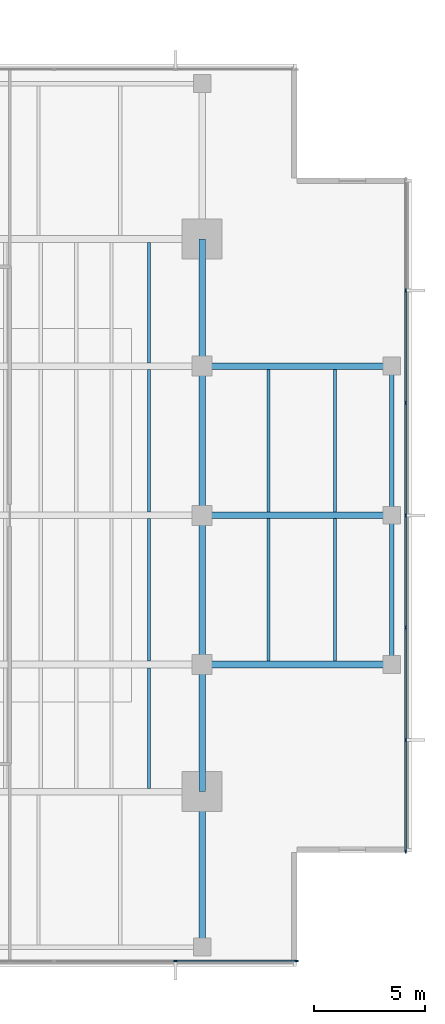
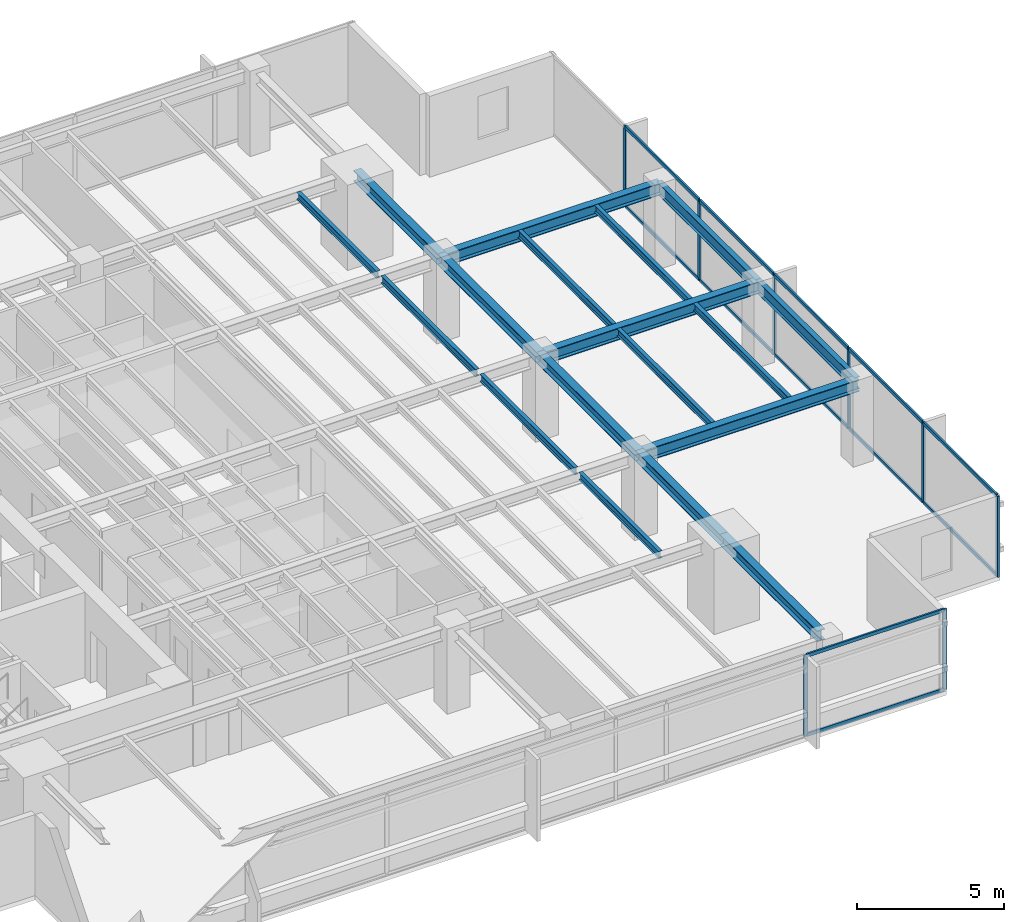
# One storey, part 4 of 14: 20 members, 18 beams, 2 elements without a shape of their own.
"""IFC4 building model written with IfcOpenShell, lengths in metres."""

from ifc_helpers import new_model, si_unit, direction, frame, origin, origin_2d, place, context, subcontext, project, spatial, rectangle, i_section, extrude, material, layer, layer_set, material_profile, profile_set, type_object, element, aggregate, save


model = new_model("IFC4")

# Units and contexts
model_context = context("Model", 3, precision=1e-05, world=origin(), true_north=direction((0.0, 1.0)))
body_context = subcontext(model_context, "Body", "Model", "MODEL_VIEW")
ifc_project = project(units=[si_unit("LENGTHUNIT", "METRE"), si_unit("AREAUNIT", "SQUARE_METRE"), si_unit("VOLUMEUNIT", "CUBIC_METRE"), si_unit("PLANEANGLEUNIT", "RADIAN"), si_unit("MASSUNIT", "GRAM", prefix="KILO")], contexts=[model_context])

# Site, building, storey
site_placement = place(None, origin())
site = spatial("IfcSite", under=ifc_project, at=site_placement, CompositionType="ELEMENT")
building_placement = place(site_placement, origin())
building = spatial("IfcBuilding", under=site, at=building_placement, Name="Kinhvarn Gate Tower", CompositionType="ELEMENT")
storey_placement = place(building_placement, frame((0.0, 0.0, 191.60009765625)))
storey = spatial("IfcBuildingStorey", under=building, at=storey_placement, Name="L50", CompositionType="ELEMENT", Elevation=191.60009765625)

# Curtain wall, members
ifc_material_1 = material(Name="Anodised aluminium AW-6063", Category="aluminium")
ifc_layer = layer(ifc_material_1, 0.179931640625)
ifc_layer_set = layer_set([ifc_layer], Name="Anodised aluminium AW-6063")
curtain_wall_type = type_object("IfcCurtainWallType", Name="CW-SYS-3", PredefinedType="NOTDEFINED", material=ifc_layer_set)
curtain_wall_1_placement = place(storey_placement, origin())
curtain_wall_1 = element("IfcCurtainWall", 1, at=curtain_wall_1_placement, inside=storey, type_object=curtain_wall_type, Name="Curtain Wall CW3 (L50)", PredefinedType="NOTDEFINED")
ifc_material_profile_1 = material_profile(ifc_material_1, rectangle(XDim=0.06494140625, YDim=0.159912109375, at=origin_2d()), Name="ALU 65x160")
ifc_profile_set_1 = profile_set([ifc_material_profile_1], Name="Anodised aluminium AW-6063")
member_type_1 = type_object("IfcMemberType", Name="CW-MUL-160", PredefinedType="MULLION", material=ifc_profile_set_1)
member_1_placement = place(storey_placement, frame((37.0, 5.090087890625, 0.0), z_axis=(0.0, 0.0, 1.0), x_axis=(0.0, 1.0, 0.0)))
member_1 = element("IfcMember", 2, at=member_1_placement, type_object=member_type_1, Name="CW3 mullion 6", PredefinedType="MULLION", context=body_context, shape_type="SweptSolid", body=[
    extrude(rectangle(XDim=0.06494140625, YDim=0.159912109375, at=origin_2d()), origin(), (0.0, 0.0, 1.0), 3.369873046875),
])
member_2_placement = place(storey_placement, frame((42.467529296875, 5.090087890625, 0.0), z_axis=(0.0, 0.0, 1.0), x_axis=(0.0, 1.0, 0.0)))
member_2 = element("IfcMember", 3, at=member_2_placement, type_object=member_type_1, Name="CW3 mullion 7", PredefinedType="MULLION", context=body_context, shape_type="SweptSolid", body=[
    extrude(rectangle(XDim=0.06494140625, YDim=0.159912109375, at=origin_2d()), origin(), (0.0, 0.0, 1.0), 3.369873046875),
])

curtain_wall_2_placement = place(storey_placement, origin())
curtain_wall_2 = element("IfcCurtainWall", 4, at=curtain_wall_2_placement, inside=storey, type_object=curtain_wall_type, Name="Curtain Wall CW3 (L50)", PredefinedType="NOTDEFINED")
member_3_placement = place(storey_placement, frame((47.409912109375, 10.032470703125, 0.0), z_axis=(0.0, 0.0, 1.0), x_axis=(-1.0, 0.0, 0.0)))
member_3 = element("IfcMember", 5, at=member_3_placement, type_object=member_type_1, Name="CW3 mullion 1", PredefinedType="MULLION", context=body_context, shape_type="SweptSolid", body=[
    extrude(rectangle(XDim=0.06494140625, YDim=0.159912109375, at=origin_2d()), origin(), (0.0, 0.0, 1.0), 3.369873046875),
])
member_4_placement = place(storey_placement, frame((47.409912109375, 15.083251953125, 0.0), z_axis=(0.0, 0.0, 1.0), x_axis=(-1.0, 0.0, 0.0)))
member_4 = element("IfcMember", 6, at=member_4_placement, type_object=member_type_1, Name="CW3 mullion 2", PredefinedType="MULLION", context=body_context, shape_type="SweptSolid", body=[
    extrude(rectangle(XDim=0.06494140625, YDim=0.159912109375, at=origin_2d()), origin(), (0.0, 0.0, 1.0), 3.369873046875),
])
member_5_placement = place(storey_placement, frame((47.409912109375, 20.166748046875, 0.0), z_axis=(0.0, 0.0, 1.0), x_axis=(-1.0, 0.0, 0.0)))
member_5 = element("IfcMember", 7, at=member_5_placement, type_object=member_type_1, Name="CW3 mullion 3", PredefinedType="MULLION", context=body_context, shape_type="SweptSolid", body=[
    extrude(rectangle(XDim=0.06494140625, YDim=0.159912109375, at=origin_2d()), origin(), (0.0, 0.0, 1.0), 3.369873046875),
])
member_6_placement = place(storey_placement, frame((47.409912109375, 25.25, 0.0), z_axis=(0.0, 0.0, 1.0), x_axis=(-1.0, 0.0, 0.0)))
member_6 = element("IfcMember", 8, at=member_6_placement, type_object=member_type_1, Name="CW3 mullion 4", PredefinedType="MULLION", context=body_context, shape_type="SweptSolid", body=[
    extrude(rectangle(XDim=0.06494140625, YDim=0.159912109375, at=origin_2d()), origin(), (0.0, 0.0, 1.0), 3.369873046875),
])
member_7_placement = place(storey_placement, frame((47.409912109375, 30.333251953125, 0.0), z_axis=(0.0, 0.0, 1.0), x_axis=(-1.0, 0.0, 0.0)))
member_7 = element("IfcMember", 9, at=member_7_placement, type_object=member_type_1, Name="CW3 mullion 5", PredefinedType="MULLION", context=body_context, shape_type="SweptSolid", body=[
    extrude(rectangle(XDim=0.06494140625, YDim=0.159912109375, at=origin_2d()), origin(), (0.0, 0.0, 1.0), 3.369873046875),
])
member_8_placement = place(storey_placement, frame((47.409912109375, 35.416748046875, 0.0), z_axis=(0.0, 0.0, 1.0), x_axis=(-1.0, 0.0, 0.0)))
member_8 = element("IfcMember", 10, at=member_8_placement, type_object=member_type_1, Name="CW3 mullion 6", PredefinedType="MULLION", context=body_context, shape_type="SweptSolid", body=[
    extrude(rectangle(XDim=0.06494140625, YDim=0.159912109375, at=origin_2d()), origin(), (0.0, 0.0, 1.0), 3.369873046875),
])

# Member
ifc_material_profile_2 = material_profile(ifc_material_1, rectangle(XDim=0.070068359375, YDim=0.139892578125, at=origin_2d()), Name="ALU 70x140")
ifc_profile_set_2 = profile_set([ifc_material_profile_2], Name="Anodised aluminium AW-6063")
member_type_2 = type_object("IfcMemberType", Name="CW-TRN-140", PredefinedType="USERDEFINED", material=ifc_profile_set_2)
member_9_placement = place(storey_placement, frame((37.032470703125, 5.090087890625, 0.034912109375), z_axis=(1.0, 0.0, 0.0), x_axis=(0.0, 1.0, 0.0)))
member_9 = element("IfcMember", 11, at=member_9_placement, type_object=member_type_2, Name="CW3 transom 6.1", ObjectType="TRANSOM", PredefinedType="USERDEFINED", context=body_context, shape_type="SweptSolid", body=[
    extrude(rectangle(XDim=0.070068359375, YDim=0.139892578125, at=origin_2d()), origin(), (0.0, 0.0, 1.0), 5.402587890625),
])

member_10_placement = place(storey_placement, frame((37.032470703125, 5.090087890625, 3.3349609375), z_axis=(1.0, 0.0, 0.0), x_axis=(0.0, 1.0, 0.0)))
member_10 = element("IfcMember", 12, at=member_10_placement, type_object=member_type_2, Name="CW3 transom 6.2", ObjectType="TRANSOM", PredefinedType="USERDEFINED", context=body_context, shape_type="SweptSolid", body=[
    extrude(rectangle(XDim=0.070068359375, YDim=0.139892578125, at=origin_2d()), origin(), (0.0, 0.0, 1.0), 5.402587890625),
])

aggregate(curtain_wall_1, [member_1, member_2, member_9, member_10])

member_11_placement = place(storey_placement, frame((47.409912109375, 10.06494140625, 0.034912109375), z_axis=(0.0, 1.0, 0.0), x_axis=(-1.0, 0.0, 0.0)))
member_11 = element("IfcMember", 13, at=member_11_placement, type_object=member_type_2, Name="CW3 transom 1.1", ObjectType="TRANSOM", PredefinedType="USERDEFINED", context=body_context, shape_type="SweptSolid", body=[
    extrude(rectangle(XDim=0.070068359375, YDim=0.139892578125, at=origin_2d()), origin(), (0.0, 0.0, 1.0), 4.98583984375),
])

member_12_placement = place(storey_placement, frame((47.409912109375, 10.06494140625, 3.3349609375), z_axis=(0.0, 1.0, 0.0), x_axis=(-1.0, 0.0, 0.0)))
member_12 = element("IfcMember", 14, at=member_12_placement, type_object=member_type_2, Name="CW3 transom 1.2", ObjectType="TRANSOM", PredefinedType="USERDEFINED", context=body_context, shape_type="SweptSolid", body=[
    extrude(rectangle(XDim=0.070068359375, YDim=0.139892578125, at=origin_2d()), origin(), (0.0, 0.0, 1.0), 4.98583984375),
])

member_13_placement = place(storey_placement, frame((47.409912109375, 15.11572265625, 0.034912109375), z_axis=(0.0, 1.0, 0.0), x_axis=(-1.0, 0.0, 0.0)))
member_13 = element("IfcMember", 15, at=member_13_placement, type_object=member_type_2, Name="CW3 transom 2.1", ObjectType="TRANSOM", PredefinedType="USERDEFINED", context=body_context, shape_type="SweptSolid", body=[
    extrude(rectangle(XDim=0.070068359375, YDim=0.139892578125, at=origin_2d()), origin(), (0.0, 0.0, 1.0), 5.0185546875),
])

member_14_placement = place(storey_placement, frame((47.409912109375, 15.11572265625, 3.3349609375), z_axis=(0.0, 1.0, 0.0), x_axis=(-1.0, 0.0, 0.0)))
member_14 = element("IfcMember", 16, at=member_14_placement, type_object=member_type_2, Name="CW3 transom 2.2", ObjectType="TRANSOM", PredefinedType="USERDEFINED", context=body_context, shape_type="SweptSolid", body=[
    extrude(rectangle(XDim=0.070068359375, YDim=0.139892578125, at=origin_2d()), origin(), (0.0, 0.0, 1.0), 5.0185546875),
])

member_15_placement = place(storey_placement, frame((47.409912109375, 20.19921875, 0.034912109375), z_axis=(0.0, 1.0, 0.0), x_axis=(-1.0, 0.0, 0.0)))
member_15 = element("IfcMember", 17, at=member_15_placement, type_object=member_type_2, Name="CW3 transom 3.1", ObjectType="TRANSOM", PredefinedType="USERDEFINED", context=body_context, shape_type="SweptSolid", body=[
    extrude(rectangle(XDim=0.070068359375, YDim=0.139892578125, at=origin_2d()), origin(), (0.0, 0.0, 1.0), 5.018310546875),
])

member_16_placement = place(storey_placement, frame((47.409912109375, 20.19921875, 3.3349609375), z_axis=(0.0, 1.0, 0.0), x_axis=(-1.0, 0.0, 0.0)))
member_16 = element("IfcMember", 18, at=member_16_placement, type_object=member_type_2, Name="CW3 transom 3.2", ObjectType="TRANSOM", PredefinedType="USERDEFINED", context=body_context, shape_type="SweptSolid", body=[
    extrude(rectangle(XDim=0.070068359375, YDim=0.139892578125, at=origin_2d()), origin(), (0.0, 0.0, 1.0), 5.018310546875),
])

member_17_placement = place(storey_placement, frame((47.409912109375, 25.282470703125, 0.034912109375), z_axis=(0.0, 1.0, 0.0), x_axis=(-1.0, 0.0, 0.0)))
member_17 = element("IfcMember", 19, at=member_17_placement, type_object=member_type_2, Name="CW3 transom 4.1", ObjectType="TRANSOM", PredefinedType="USERDEFINED", context=body_context, shape_type="SweptSolid", body=[
    extrude(rectangle(XDim=0.070068359375, YDim=0.139892578125, at=origin_2d()), origin(), (0.0, 0.0, 1.0), 5.018310546875),
])

member_18_placement = place(storey_placement, frame((47.409912109375, 25.282470703125, 3.3349609375), z_axis=(0.0, 1.0, 0.0), x_axis=(-1.0, 0.0, 0.0)))
member_18 = element("IfcMember", 20, at=member_18_placement, type_object=member_type_2, Name="CW3 transom 4.2", ObjectType="TRANSOM", PredefinedType="USERDEFINED", context=body_context, shape_type="SweptSolid", body=[
    extrude(rectangle(XDim=0.070068359375, YDim=0.139892578125, at=origin_2d()), origin(), (0.0, 0.0, 1.0), 5.018310546875),
])

member_19_placement = place(storey_placement, frame((47.409912109375, 30.36572265625, 0.034912109375), z_axis=(0.0, 1.0, 0.0), x_axis=(-1.0, 0.0, 0.0)))
member_19 = element("IfcMember", 21, at=member_19_placement, type_object=member_type_2, Name="CW3 transom 5.1", ObjectType="TRANSOM", PredefinedType="USERDEFINED", context=body_context, shape_type="SweptSolid", body=[
    extrude(rectangle(XDim=0.070068359375, YDim=0.139892578125, at=origin_2d()), origin(), (0.0, 0.0, 1.0), 5.0185546875),
])

member_20_placement = place(storey_placement, frame((47.409912109375, 30.36572265625, 3.3349609375), z_axis=(0.0, 1.0, 0.0), x_axis=(-1.0, 0.0, 0.0)))
member_20 = element("IfcMember", 22, at=member_20_placement, type_object=member_type_2, Name="CW3 transom 5.2", ObjectType="TRANSOM", PredefinedType="USERDEFINED", context=body_context, shape_type="SweptSolid", body=[
    extrude(rectangle(XDim=0.070068359375, YDim=0.139892578125, at=origin_2d()), origin(), (0.0, 0.0, 1.0), 5.0185546875),
])

aggregate(curtain_wall_2, [member_3, member_4, member_5, member_6, member_7, member_8, member_11, member_12, member_13, member_14, member_15, member_16, member_17, member_18, member_19, member_20])

# Beams
ifc_material_2 = material(Name="Steel S355", Category="steel")
ifc_material_profile_3 = material_profile(ifc_material_2, i_section(OverallWidth=0.300048828125, OverallDepth=0.449951171875, WebThickness=0.013916015625, FlangeThickness=0.02587890625, at=origin_2d()), Name="HEB 450")
ifc_profile_set_3 = profile_set([ifc_material_profile_3], Name="Steel S355")
beam_type_1 = type_object("IfcBeamType", Name="STL-HEB450", PredefinedType="BEAM", material=ifc_profile_set_3)
beam_1_placement = place(storey_placement, frame((38.199951171875, 6.10498046875, 3.14501953125), z_axis=(0.0, 1.0, 0.0), x_axis=(-1.0, 0.0, 0.0)))
element("IfcBeam", 23, at=beam_1_placement, inside=storey, type_object=beam_type_1, Name="Floor Beam PG-13 (L50 MCE-S)", PredefinedType="BEAM", context=body_context, shape_type="SweptSolid", body=[
    extrude(i_section(OverallWidth=0.300048828125, OverallDepth=0.449951171875, WebThickness=0.013916015625, FlangeThickness=0.02587890625, at=origin_2d()), origin(), (0.0, 0.0, 1.0), 6.64501953125),
])
beam_2_placement = place(storey_placement, frame((38.199951171875, 12.75, 3.14501953125), z_axis=(0.0, 1.0, 0.0), x_axis=(-1.0, 0.0, 0.0)))
element("IfcBeam", 24, at=beam_2_placement, inside=storey, type_object=beam_type_1, Name="Floor Beam PG-13 (L50 MG-E-12)", PredefinedType="BEAM", context=body_context, shape_type="SweptSolid", body=[
    extrude(i_section(OverallWidth=0.300048828125, OverallDepth=0.449951171875, WebThickness=0.013916015625, FlangeThickness=0.02587890625, at=origin_2d()), origin(), (0.0, 0.0, 1.0), 5.75),
])
for number, where, z_axis, x_axis, name in (
    (25, (38.199951171875, 18.5, 3.14501953125), (0.0, 1.0, 0.0), (-1.0, 0.0, 0.0), "Floor Beam PG-13 (L50 MG-E-18)"),
    (26, (38.199951171875, 25.25, 3.14501953125), (0.0, 1.0, 0.0), (-1.0, 0.0, 0.0), "Floor Beam PG-13 (L50 MG-E-25)"),
):
    element("IfcBeam", number, at=place(storey_placement, frame(where, z_axis=z_axis, x_axis=x_axis)), inside=storey, type_object=beam_type_1, Name=name, PredefinedType="BEAM", context=body_context, shape_type="SweptSolid", body=[
        extrude(i_section(OverallWidth=0.300048828125, OverallDepth=0.449951171875, WebThickness=0.013916015625, FlangeThickness=0.02587890625, at=origin_2d()), origin(), (0.0, 0.0, 1.0), 6.75),
    ])
beam_3_placement = place(storey_placement, frame((38.199951171875, 32.0, 3.14501953125), z_axis=(0.0, 1.0, 0.0), x_axis=(-1.0, 0.0, 0.0)))
element("IfcBeam", 27, at=beam_3_placement, inside=storey, type_object=beam_type_1, Name="Floor Beam PG-13 (L50 MG-E-32)", PredefinedType="BEAM", context=body_context, shape_type="SweptSolid", body=[
    extrude(i_section(OverallWidth=0.300048828125, OverallDepth=0.449951171875, WebThickness=0.013916015625, FlangeThickness=0.02587890625, at=origin_2d()), origin(), (0.0, 0.0, 1.0), 5.75),
])
ifc_material_profile_4 = material_profile(ifc_material_2, i_section(OverallWidth=0.300048828125, OverallDepth=0.5, WebThickness=0.014404296875, FlangeThickness=0.028076171875, at=origin_2d()), Name="HEB 500")
ifc_profile_set_4 = profile_set([ifc_material_profile_4], Name="Steel S355")
beam_type_2 = type_object("IfcBeamType", Name="STL-HEB500", PredefinedType="BEAM", material=ifc_profile_set_4)
for number, where, z_axis, x_axis, name in (
    (28, (38.199951171875, 18.5, 3.119873046875), (1.0, 0.0, 0.0), (0.0, 1.0, 0.0), "Floor Beam PG-14 (L50 EW2-Y18)"),
    (29, (38.199951171875, 25.25, 3.119873046875), (1.0, 0.0, 0.0), (0.0, 1.0, 0.0), "Floor Beam PG-14 (L50 EW2-Y25)"),
    (30, (38.199951171875, 32.0, 3.119873046875), (1.0, 0.0, 0.0), (0.0, 1.0, 0.0), "Floor Beam PG-14 (L50 EW2-Y32)"),
):
    element("IfcBeam", number, at=place(storey_placement, frame(where, z_axis=z_axis, x_axis=x_axis)), inside=storey, type_object=beam_type_2, Name=name, PredefinedType="BEAM", context=body_context, shape_type="SweptSolid", body=[
        extrude(i_section(OverallWidth=0.300048828125, OverallDepth=0.5, WebThickness=0.014404296875, FlangeThickness=0.028076171875, at=origin_2d()), origin(), (0.0, 0.0, 1.0), 8.580078125),
    ])
ifc_material_profile_5 = material_profile(ifc_material_2, i_section(OverallWidth=0.14990234375, OverallDepth=0.300048828125, WebThickness=0.007080078125, FlangeThickness=0.0107421875, at=origin_2d()), Name="IPE 300")
ifc_profile_set_5 = profile_set([ifc_material_profile_5], Name="Steel S355")
beam_type_3 = type_object("IfcBeamType", Name="STL-IPE300", PredefinedType="JOIST", material=ifc_profile_set_5)
beam_4_placement = place(storey_placement, frame((35.800048828125, 12.89990234375, 3.219970703125), z_axis=(0.0, 1.0, 0.0), x_axis=(-1.0, 0.0, 0.0)))
element("IfcBeam", 31, at=beam_4_placement, inside=storey, type_object=beam_type_3, Name="Floor Joist SB-02 (L50 JC-X358-0)", PredefinedType="JOIST", context=body_context, shape_type="SweptSolid", body=[
    extrude(i_section(OverallWidth=0.14990234375, OverallDepth=0.300048828125, WebThickness=0.007080078125, FlangeThickness=0.0107421875, at=origin_2d()), origin(), (0.0, 0.0, 1.0), 5.4501953125),
])
for number, where, z_axis, x_axis, name in (
    (32, (35.800048828125, 18.64990234375, 3.219970703125), (0.0, 1.0, 0.0), (-1.0, 0.0, 0.0), "Floor Joist SB-02 (L50 JC-X358-1)"),
    (33, (35.800048828125, 25.39990234375, 3.219970703125), (0.0, 1.0, 0.0), (-1.0, 0.0, 0.0), "Floor Joist SB-02 (L50 JC-X358-2)"),
):
    element("IfcBeam", number, at=place(storey_placement, frame(where, z_axis=z_axis, x_axis=x_axis)), inside=storey, type_object=beam_type_3, Name=name, PredefinedType="JOIST", context=body_context, shape_type="SweptSolid", body=[
        extrude(i_section(OverallWidth=0.14990234375, OverallDepth=0.300048828125, WebThickness=0.007080078125, FlangeThickness=0.0107421875, at=origin_2d()), origin(), (0.0, 0.0, 1.0), 6.4501953125),
    ])
beam_5_placement = place(storey_placement, frame((35.800048828125, 32.14990234375, 3.219970703125), z_axis=(0.0, 1.0, 0.0), x_axis=(-1.0, 0.0, 0.0)))
element("IfcBeam", 34, at=beam_5_placement, inside=storey, type_object=beam_type_3, Name="Floor Joist SB-02 (L50 JC-X358-3)", PredefinedType="JOIST", context=body_context, shape_type="SweptSolid", body=[
    extrude(i_section(OverallWidth=0.14990234375, OverallDepth=0.300048828125, WebThickness=0.007080078125, FlangeThickness=0.0107421875, at=origin_2d()), origin(), (0.0, 0.0, 1.0), 5.4501953125),
])
for number, where, z_axis, x_axis, name in (
    (35, (41.199951171875, 18.64990234375, 3.219970703125), (0.0, 1.0, 0.0), (-1.0, 0.0, 0.0), "Floor Joist SB-02 (L50 JC-X412-1)"),
    (36, (41.199951171875, 25.39990234375, 3.219970703125), (0.0, 1.0, 0.0), (-1.0, 0.0, 0.0), "Floor Joist SB-02 (L50 JC-X412-2)"),
    (37, (44.2099609375, 18.64990234375, 3.219970703125), (0.0, 1.0, 0.0), (-1.0, 0.0, 0.0), "Floor Joist SB-02 (L50 JC-X442-1)"),
    (38, (44.2099609375, 25.39990234375, 3.219970703125), (0.0, 1.0, 0.0), (-1.0, 0.0, 0.0), "Floor Joist SB-02 (L50 JC-X442-2)"),
):
    element("IfcBeam", number, at=place(storey_placement, frame(where, z_axis=z_axis, x_axis=x_axis)), inside=storey, type_object=beam_type_3, Name=name, PredefinedType="JOIST", context=body_context, shape_type="SweptSolid", body=[
        extrude(i_section(OverallWidth=0.14990234375, OverallDepth=0.300048828125, WebThickness=0.007080078125, FlangeThickness=0.0107421875, at=origin_2d()), origin(), (0.0, 0.0, 1.0), 6.4501953125),
    ])
ifc_material_profile_6 = material_profile(ifc_material_2, i_section(OverallWidth=0.199951171875, OverallDepth=0.5, WebThickness=0.01025390625, FlangeThickness=0.01611328125, at=origin_2d()), Name="IPE 500")
ifc_profile_set_6 = profile_set([ifc_material_profile_6], Name="Steel S355")
beam_type_4 = type_object("IfcBeamType", Name="STL-IPE500", PredefinedType="SPANDREL", material=ifc_profile_set_6)
for number, where, z_axis, x_axis, name in (
    (39, (46.780029296875, 18.5, 3.119873046875), (0.0, 1.0, 0.0), (-1.0, 0.0, 0.0), "Floor Spandrel SB-07 (L50 SP-E2)"),
    (40, (46.780029296875, 25.25, 3.119873046875), (0.0, 1.0, 0.0), (-1.0, 0.0, 0.0), "Floor Spandrel SB-07 (L50 SP-E3)"),
):
    element("IfcBeam", number, at=place(storey_placement, frame(where, z_axis=z_axis, x_axis=x_axis)), inside=storey, type_object=beam_type_4, Name=name, PredefinedType="SPANDREL", context=body_context, shape_type="SweptSolid", body=[
        extrude(i_section(OverallWidth=0.199951171875, OverallDepth=0.5, WebThickness=0.01025390625, FlangeThickness=0.01611328125, at=origin_2d()), origin(), (0.0, 0.0, 1.0), 6.75),
    ])

save(model, "model.ifc")
